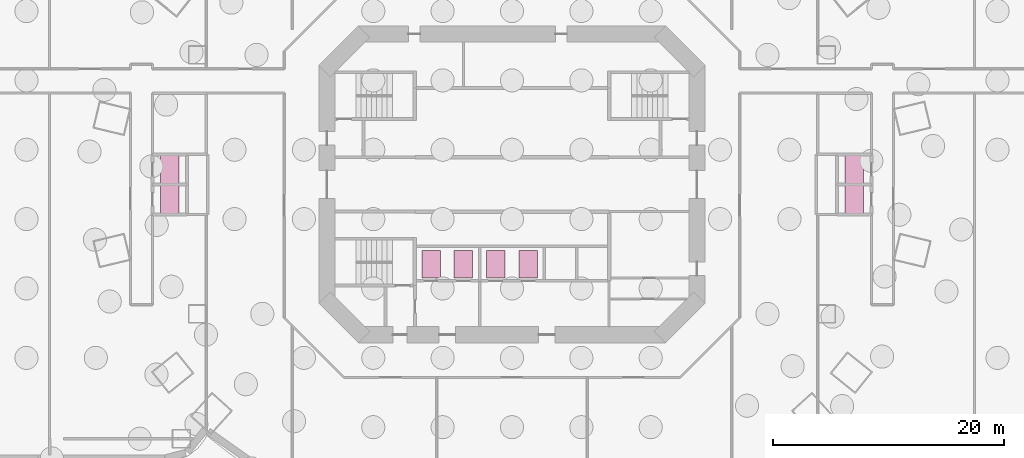
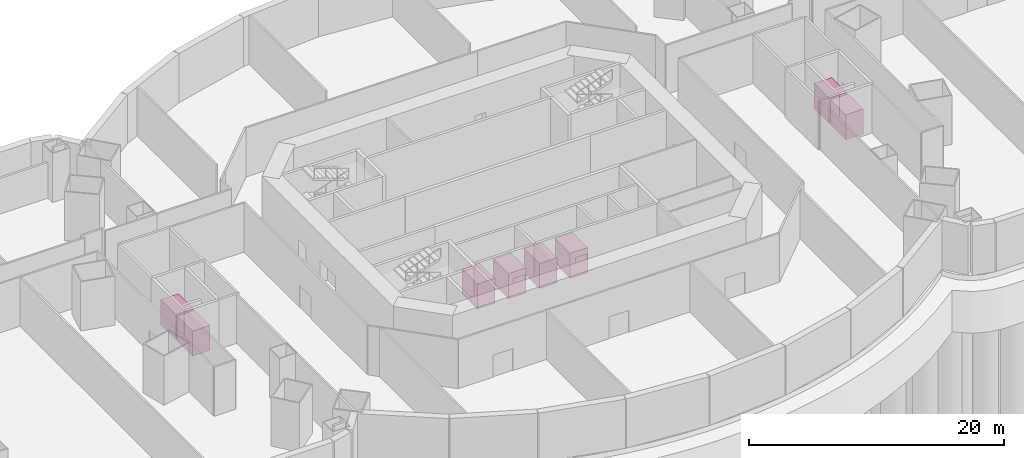
# One storey, part 9 of 9: 8 transport elements.
"""IFC4 building model written with IfcOpenShell, lengths in metres."""

from ifc_helpers import new_model, si_unit, direction, frame, origin, origin_2d, place, context, subcontext, project, spatial, rectangle, extrude, material, type_object, element, save


model = new_model("IFC4")

# Units and contexts
model_context = context("Model", 3, precision=1e-05, world=origin(), true_north=direction((0.0, 1.0)))
body_context = subcontext(model_context, "Body", "Model", "MODEL_VIEW")
ifc_project = project(units=[si_unit("LENGTHUNIT", "METRE"), si_unit("AREAUNIT", "SQUARE_METRE"), si_unit("VOLUMEUNIT", "CUBIC_METRE"), si_unit("PLANEANGLEUNIT", "RADIAN"), si_unit("MASSUNIT", "GRAM", prefix="KILO")], contexts=[model_context])

# Site, building, storey
site_placement = place(None, origin())
site = spatial("IfcSite", under=ifc_project, at=site_placement, CompositionType="ELEMENT")
building_placement = place(site_placement, origin())
building = spatial("IfcBuilding", under=site, at=building_placement, Name="Marenthal Gate Tower", CompositionType="ELEMENT")
storey_placement = place(building_placement, frame((0.0, 0.0, -10.0)))
storey = spatial("IfcBuildingStorey", under=building, at=storey_placement, Name="B2", CompositionType="ELEMENT", Elevation=-10.0)

# Transport elements
ifc_material_1 = material(Name="Stainless steel and glass car", Category="steel")
transport_element_type_1 = type_object("IfcTransportElementType", Name="Fire-fighting lift 1600 x 2400", PredefinedType="ELEVATOR", material=ifc_material_1)
for number, where, z_axis, x_axis, name in (
    (1, (-7.0, -6.89990234375, 0.0), (0.0, 0.0, 1.0), (1.0, 0.0, 0.0), "Lift LF1"),
    (2, (-4.199951171875, -6.89990234375, 0.0), (0.0, 0.0, 1.0), (1.0, 0.0, 0.0), "Lift LF2"),
):
    element("IfcTransportElement", number, at=place(storey_placement, frame(where, z_axis=z_axis, x_axis=x_axis)), inside=storey, type_object=transport_element_type_1, Name=name, PredefinedType="ELEVATOR", context=body_context, shape_type="SweptSolid", body=[
        extrude(rectangle(XDim=1.60009765625, YDim=2.39990234375, at=origin_2d()), origin(), (0.0, 0.0, 1.0), 2.39990234375),
    ])
ifc_material_2 = material(Name="Stainless steel and glass car", Category="steel")
transport_element_type_2 = type_object("IfcTransportElementType", Name="Service lift 1600 x 2400", PredefinedType="ELEVATOR", material=ifc_material_2)
for number, where, z_axis, x_axis, name in (
    (3, (-1.39990234375, -6.89990234375, 0.0), (0.0, 0.0, 1.0), (1.0, 0.0, 0.0), "Lift SV1"),
    (4, (1.39990234375, -6.89990234375, 0.0), (0.0, 0.0, 1.0), (1.0, 0.0, 0.0), "Lift SV2"),
):
    element("IfcTransportElement", number, at=place(storey_placement, frame(where, z_axis=z_axis, x_axis=x_axis)), inside=storey, type_object=transport_element_type_2, Name=name, PredefinedType="ELEVATOR", context=body_context, shape_type="SweptSolid", body=[
        extrude(rectangle(XDim=1.60009765625, YDim=2.39990234375, at=origin_2d()), origin(), (0.0, 0.0, 1.0), 2.39990234375),
    ])
ifc_material_3 = material(Name="Stainless steel and glass car", Category="steel")
transport_element_type_3 = type_object("IfcTransportElementType", Name="Wing lift 1600 x 2400", PredefinedType="ELEVATOR", material=ifc_material_3)
for number, where, z_axis, x_axis, name in (
    (5, (29.60009765625, -1.300048828125, 0.0), (0.0, 0.0, 1.0), (1.0, 0.0, 0.0), "Lift WL-E1"),
    (6, (29.60009765625, 1.300048828125, 0.0), (0.0, 0.0, 1.0), (1.0, 0.0, 0.0), "Lift WL-E2"),
    (7, (-29.60009765625, -1.300048828125, 0.0), (0.0, 0.0, 1.0), (1.0, 0.0, 0.0), "Lift WL-W1"),
    (8, (-29.60009765625, 1.300048828125, 0.0), (0.0, 0.0, 1.0), (1.0, 0.0, 0.0), "Lift WL-W2"),
):
    element("IfcTransportElement", number, at=place(storey_placement, frame(where, z_axis=z_axis, x_axis=x_axis)), inside=storey, type_object=transport_element_type_3, Name=name, PredefinedType="ELEVATOR", context=body_context, shape_type="SweptSolid", body=[
        extrude(rectangle(XDim=1.60009765625, YDim=2.39990234375, at=origin_2d()), origin(), (0.0, 0.0, 1.0), 2.39990234375),
    ])

save(model, "model.ifc")
